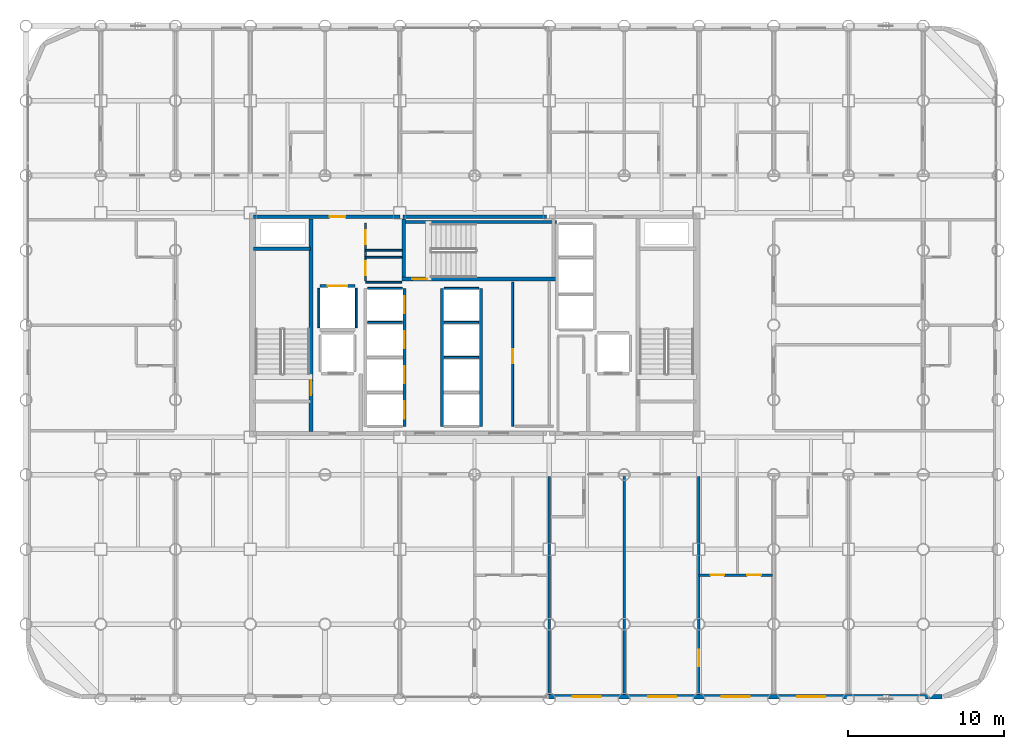
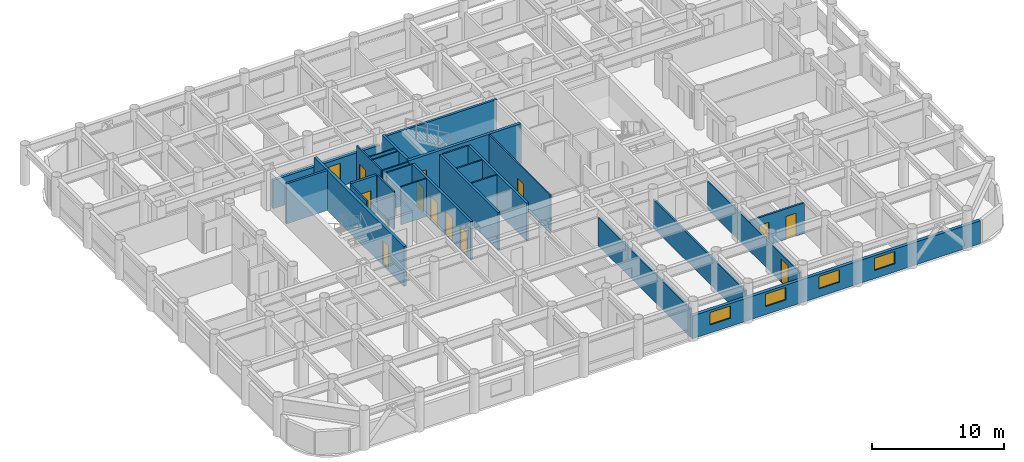
# One storey, part 16 of 20: 28 walls, 14 doors, 4 windows, 18 openings.
"""IFC4 building model written with IfcOpenShell, lengths in metres."""

from ifc_helpers import new_model, si_unit, direction, frame, frame_2d, origin, place, context, subcontext, project, spatial, rectangle, extrude, material, layer, layer_set, type_object, element, fill, save


model = new_model("IFC4")

# Units and contexts
model_context = context("Model", 3, precision=1e-05, world=origin(), true_north=direction((0.0, 1.0)))
body_context = subcontext(model_context, "Body", "Model", "MODEL_VIEW")
ifc_project = project(units=[si_unit("LENGTHUNIT", "METRE"), si_unit("AREAUNIT", "SQUARE_METRE"), si_unit("VOLUMEUNIT", "CUBIC_METRE"), si_unit("PLANEANGLEUNIT", "RADIAN"), si_unit("MASSUNIT", "GRAM", prefix="KILO")], contexts=[model_context])

# Site, building, storey
site_placement = place(None, origin())
site = spatial("IfcSite", under=ifc_project, at=site_placement, CompositionType="ELEMENT")
building_placement = place(site_placement, origin())
building = spatial("IfcBuilding", under=site, at=building_placement, Name="Kallvorn Hotel Tower", CompositionType="ELEMENT")
storey_placement = place(building_placement, frame((0.0, 0.0, 74.39990234375)))
storey = spatial("IfcBuildingStorey", under=building, at=storey_placement, Name="L17", CompositionType="ELEMENT", Elevation=74.39990234375)

# Wall, openings, doors
ifc_material_1 = material(Name="Fire-rated double-layer acoustic gypsum drywall EI 60")
ifc_layer_1 = layer(ifc_material_1, 0.159912109375)
ifc_layer_set_1 = layer_set([ifc_layer_1], Name="WL_DEMISE_160")
wall_type_1 = type_object("IfcWallType", Name="WL_DEMISE_160", PredefinedType="PARTITIONING", material=ifc_layer_set_1)
wall_1_placement = place(storey_placement, frame((14.39990234375, -16.050048828125, 0.0), z_axis=(0.0, 0.0, 1.0), x_axis=(1.0, 0.0, 0.0)))
wall_1 = element("IfcWall", 1, at=wall_1_placement, inside=storey, type_object=wall_type_1, Name="L17 Suite 1707 Executive Bedroom Partition", PredefinedType="PARTITIONING", context=body_context, shape_type="SweptSolid", body=[
    extrude(rectangle(XDim=4.72021484375, YDim=0.159912109375, at=frame_2d((2.360107421875, 0.0))), origin(), (0.0, 0.0, 1.0), 2.820068359375),
])
opening_1_placement = place(wall_1_placement, frame((0.75, 0.0, 0.0)))
opening_1 = element("IfcOpeningElement", 2, at=opening_1_placement, cuts=wall_1, Name="Opening BD-I", PredefinedType="OPENING", context=body_context, shape_type="SweptSolid", body=[
    extrude(rectangle(XDim=0.860107421875, YDim=2.10009765625, at=frame_2d((0.43017578125, 1.050048828125))), frame((0.0, 0.094970703125, 0.0), z_axis=(0.0, -1.0, 0.0), x_axis=(1.0, 0.0, 0.0)), (0.0, 0.0, 1.0), 0.18994140625),
])
opening_2_placement = place(wall_1_placement, frame((3.090087890625, 0.0, 0.0)))
opening_2 = element("IfcOpeningElement", 3, at=opening_2_placement, cuts=wall_1, Name="Opening SVD1", PredefinedType="OPENING", context=body_context, shape_type="SweptSolid", body=[
    extrude(rectangle(XDim=0.89990234375, YDim=2.10009765625, at=frame_2d((0.449951171875, 1.050048828125))), frame((0.0, 0.094970703125, 0.0), z_axis=(0.0, -1.0, 0.0), x_axis=(1.0, 0.0, 0.0)), (0.0, 0.0, 1.0), 0.18994140625),
])
ifc_material_2 = material(Name="Solid-core walnut veneer fire-rated timber door leaf", Category="wood")
door_type_1 = type_object("IfcDoorType", Name="DR_BATH_860x2100", OperationType="NOTDEFINED", PredefinedType="DOOR", material=ifc_material_2)
door_1_placement = place(opening_1_placement, origin())
door_1 = element("IfcDoor", 4, at=door_1_placement, inside=storey, type_object=door_type_1, Name="L17 Suite 1707 En-Suite Bathroom Door", OperationType="SINGLE_SWING_LEFT", OverallHeight=2.10009765625, OverallWidth=0.860107421875, PredefinedType="DOOR", context=body_context, shape_type="SweptSolid", body=[
    extrude(rectangle(XDim=0.860107421875, YDim=2.10009765625, at=frame_2d((0.43017578125, 1.050048828125))), frame((0.0, 0.02490234375, 0.0), z_axis=(0.0, -1.0, 0.0), x_axis=(1.0, 0.0, 0.0)), (0.0, 0.0, 1.0), 0.050048828125),
])
fill(opening_1, door_1)
ifc_material_3 = material(Name="Galvanised painted steel fire-rated door assembly", Category="steel")
door_type_2 = type_object("IfcDoorType", Name="DR_SERV_900x2100", OperationType="NOTDEFINED", PredefinedType="DOOR", material=ifc_material_3)
door_2_placement = place(opening_2_placement, origin())
door_2 = element("IfcDoor", 5, at=door_2_placement, inside=storey, type_object=door_type_2, Name="L17 Suite 1707 Walk-In Dressing Closet Door", OperationType="SINGLE_SWING_RIGHT", OverallHeight=2.10009765625, OverallWidth=0.89990234375, PredefinedType="DOOR", context=body_context, shape_type="SweptSolid", body=[
    extrude(rectangle(XDim=0.89990234375, YDim=2.10009765625, at=frame_2d((0.449951171875, 1.050048828125))), frame((0.0, 0.02490234375, 0.0), z_axis=(0.0, -1.0, 0.0), x_axis=(1.0, 0.0, 0.0)), (0.0, 0.0, 1.0), 0.050048828125),
])
fill(opening_2, door_2)

# Walls
for number, where, z_axis, x_axis, name in (
    (6, (4.800048828125, -23.7099609375, 0.0), (0.0, 0.0, 1.0), (0.0, 1.0, 0.0), "L17 Suite 1705 Executive Bedroom Partition"),
    (7, (9.60009765625, -23.7099609375, 0.0), (0.0, 0.0, 1.0), (0.0, 1.0, 0.0), "L17 Suite 1706 Deluxe King Room Partition"),
):
    element("IfcWall", number, at=place(storey_placement, frame(where, z_axis=z_axis, x_axis=x_axis)), inside=storey, type_object=wall_type_1, Name=name, PredefinedType="PARTITIONING", context=body_context, shape_type="SweptSolid", body=[
        extrude(rectangle(XDim=13.989990234375, YDim=0.159912109375, at=frame_2d((6.9951171875, 0.0))), origin(), (0.0, 0.0, 1.0), 2.6201171875),
    ])

# Wall, opening, door
wall_2_placement = place(storey_placement, frame((14.39990234375, -23.7099609375, 0.0), z_axis=(0.0, 0.0, 1.0), x_axis=(0.0, 1.0, 0.0)))
wall_2 = element("IfcWall", 8, at=wall_2_placement, inside=storey, type_object=wall_type_1, Name="L17 Suite 1707 Executive Bedroom Partition", PredefinedType="PARTITIONING", context=body_context, shape_type="SweptSolid", body=[
    extrude(rectangle(XDim=13.989990234375, YDim=0.159912109375, at=frame_2d((6.9951171875, 0.0))), origin(), (0.0, 0.0, 1.0), 2.6201171875),
])
opening_3_placement = place(wall_2_placement, frame((1.802978515625, 0.0, 0.0)))
opening_3 = element("IfcOpeningElement", 9, at=opening_3_placement, cuts=wall_2, Name="Opening GD2", PredefinedType="OPENING", context=body_context, shape_type="SweptSolid", body=[
    extrude(rectangle(XDim=1.050048828125, YDim=2.199951171875, at=frame_2d((0.52490234375, 1.10009765625))), frame((0.0, 0.094970703125, 0.0), z_axis=(0.0, -1.0, 0.0), x_axis=(1.0, 0.0, 0.0)), (0.0, 0.0, 1.0), 0.18994140625),
])
ifc_material_4 = material(Name="Solid-core walnut veneer fire-rated timber door leaf", Category="wood")
door_type_3 = type_object("IfcDoorType", Name="DR_SUITE_1050x2200", OperationType="NOTDEFINED", PredefinedType="DOOR", material=ifc_material_4)
door_3_placement = place(opening_3_placement, origin())
door_3 = element("IfcDoor", 10, at=door_3_placement, inside=storey, type_object=door_type_3, Name="L17 Suite 1707 Executive Bedroom Door", OperationType="SINGLE_SWING_RIGHT", OverallHeight=2.199951171875, OverallWidth=1.050048828125, PredefinedType="DOOR", context=body_context, shape_type="SweptSolid", body=[
    extrude(rectangle(XDim=1.050048828125, YDim=2.199951171875, at=frame_2d((0.52490234375, 1.10009765625))), frame((0.0, 0.02490234375, 0.0), z_axis=(0.0, -1.0, 0.0), x_axis=(1.0, 0.0, 0.0)), (0.0, 0.0, 1.0), 0.050048828125),
])
fill(opening_3, door_3)

# Wall, openings, windows
ifc_material_5 = material(Name="Precast basalt-clad insulated concrete wall C40/50", Category="masonry")
ifc_layer_2 = layer(ifc_material_5, 0.280029296875)
ifc_layer_set_2 = layer_set([ifc_layer_2], Name="WL_EXT_LOGGIA_280")
wall_type_2 = type_object("IfcWallType", Name="WL_EXT_LOGGIA_280", PredefinedType="SOLIDWALL", material=ifc_layer_set_2)
wall_3_placement = place(storey_placement, frame((4.75, -23.860107421875, 0.0), z_axis=(0.0, 0.0, 1.0), x_axis=(1.0, 0.0, 0.0)))
wall_3 = element("IfcWall", 11, at=wall_3_placement, inside=storey, type_object=wall_type_2, Name="L17 Exterior Envelope Wall EW-L17-SE", PredefinedType="SOLIDWALL", context=body_context, shape_type="SweptSolid", body=[
    extrude(rectangle(XDim=25.25, YDim=0.280029296875, at=frame_2d((12.625, 0.0))), origin(), (0.0, 0.0, 1.0), 2.1201171875),
])
opening_4_placement = place(wall_3_placement, frame((1.550048828125, 0.0, 0.75)))
opening_4 = element("IfcOpeningElement", 12, at=opening_4_placement, cuts=wall_3, Name="Opening W04A", PredefinedType="OPENING", context=body_context, shape_type="SweptSolid", body=[
    extrude(rectangle(XDim=1.800048828125, YDim=1.14990234375, at=frame_2d((0.89990234375, 0.574951171875))), frame((0.0, 0.155029296875, 0.0), z_axis=(0.0, -1.0, 0.0), x_axis=(1.0, 0.0, 0.0)), (0.0, 0.0, 1.0), 0.31005859375),
])
opening_5_placement = place(wall_3_placement, frame((6.389892578125, 0.0, 0.75)))
opening_5 = element("IfcOpeningElement", 13, at=opening_5_placement, cuts=wall_3, Name="Opening W04A", PredefinedType="OPENING", context=body_context, shape_type="SweptSolid", body=[
    extrude(rectangle(XDim=1.800048828125, YDim=1.14990234375, at=frame_2d((0.89990234375, 0.574951171875))), frame((0.0, 0.155029296875, 0.0), z_axis=(0.0, -1.0, 0.0), x_axis=(1.0, 0.0, 0.0)), (0.0, 0.0, 1.0), 0.31005859375),
])
opening_6_placement = place(wall_3_placement, frame((11.110107421875, 0.0, 0.75)))
opening_6 = element("IfcOpeningElement", 14, at=opening_6_placement, cuts=wall_3, Name="Opening W04A", PredefinedType="OPENING", context=body_context, shape_type="SweptSolid", body=[
    extrude(rectangle(XDim=1.800048828125, YDim=1.14990234375, at=frame_2d((0.89990234375, 0.574951171875))), frame((0.0, 0.155029296875, 0.0), z_axis=(0.0, -1.0, 0.0), x_axis=(1.0, 0.0, 0.0)), (0.0, 0.0, 1.0), 0.31005859375),
])
opening_7_placement = place(wall_3_placement, frame((15.949951171875, 0.0, 0.75)))
opening_7 = element("IfcOpeningElement", 15, at=opening_7_placement, cuts=wall_3, Name="Opening W04A", PredefinedType="OPENING", context=body_context, shape_type="SweptSolid", body=[
    extrude(rectangle(XDim=1.800048828125, YDim=1.14990234375, at=frame_2d((0.89990234375, 0.574951171875))), frame((0.0, 0.155029296875, 0.0), z_axis=(0.0, -1.0, 0.0), x_axis=(1.0, 0.0, 0.0)), (0.0, 0.0, 1.0), 0.31005859375),
])
ifc_material_6 = material(Name="Double-glazed low-e solar-control dark glass", Category="glass")
window_type = type_object("IfcWindowType", Name="WN_HTL_1800x1150", PartitioningType="SINGLE_PANEL", PredefinedType="WINDOW", material=ifc_material_6)
window_1_placement = place(opening_4_placement, origin())
window_1 = element("IfcWindow", 16, at=window_1_placement, inside=storey, type_object=window_type, Name="L17 Guestroom Exterior Window 04", OverallHeight=1.14990234375, OverallWidth=1.800048828125, PartitioningType="SINGLE_PANEL", PredefinedType="WINDOW", context=body_context, shape_type="SweptSolid", body=[
    extrude(rectangle(XDim=1.800048828125, YDim=1.14990234375, at=frame_2d((0.89990234375, 0.574951171875))), frame((0.0, 0.030029296875, 0.0), z_axis=(0.0, -1.0, 0.0), x_axis=(1.0, 0.0, 0.0)), (0.0, 0.0, 1.0), 0.06005859375),
])
fill(opening_4, window_1)
window_2_placement = place(opening_5_placement, origin())
window_2 = element("IfcWindow", 17, at=window_2_placement, inside=storey, type_object=window_type, Name="L17 Guestroom Exterior Window 05", OverallHeight=1.14990234375, OverallWidth=1.800048828125, PartitioningType="SINGLE_PANEL", PredefinedType="WINDOW", context=body_context, shape_type="SweptSolid", body=[
    extrude(rectangle(XDim=1.800048828125, YDim=1.14990234375, at=frame_2d((0.89990234375, 0.574951171875))), frame((0.0, 0.030029296875, 0.0), z_axis=(0.0, -1.0, 0.0), x_axis=(1.0, 0.0, 0.0)), (0.0, 0.0, 1.0), 0.06005859375),
])
fill(opening_5, window_2)
window_3_placement = place(opening_6_placement, origin())
window_3 = element("IfcWindow", 18, at=window_3_placement, inside=storey, type_object=window_type, Name="L17 Guestroom Exterior Window 06", OverallHeight=1.14990234375, OverallWidth=1.800048828125, PartitioningType="SINGLE_PANEL", PredefinedType="WINDOW", context=body_context, shape_type="SweptSolid", body=[
    extrude(rectangle(XDim=1.800048828125, YDim=1.14990234375, at=frame_2d((0.89990234375, 0.574951171875))), frame((0.0, 0.030029296875, 0.0), z_axis=(0.0, -1.0, 0.0), x_axis=(1.0, 0.0, 0.0)), (0.0, 0.0, 1.0), 0.06005859375),
])
fill(opening_6, window_3)
window_4_placement = place(opening_7_placement, origin())
window_4 = element("IfcWindow", 19, at=window_4_placement, inside=storey, type_object=window_type, Name="L17 Guestroom Exterior Window 07", OverallHeight=1.14990234375, OverallWidth=1.800048828125, PartitioningType="SINGLE_PANEL", PredefinedType="WINDOW", context=body_context, shape_type="SweptSolid", body=[
    extrude(rectangle(XDim=1.800048828125, YDim=1.14990234375, at=frame_2d((0.89990234375, 0.574951171875))), frame((0.0, 0.030029296875, 0.0), z_axis=(0.0, -1.0, 0.0), x_axis=(1.0, 0.0, 0.0)), (0.0, 0.0, 1.0), 0.06005859375),
])
fill(opening_7, window_4)

# Walls
ifc_material_7 = material(Name="Concrete C40/50", Category="concrete")
ifc_layer_3 = layer(ifc_material_7, 0.199951171875)
ifc_layer_set_3 = layer_set([ifc_layer_3], Name="WL_HOIST_200")
wall_type_3 = type_object("IfcWallType", Name="WL_HOIST_200", PredefinedType="SOLIDWALL", material=ifc_layer_set_3)
wall_4_placement = place(storey_placement, frame((-14.199951171875, 4.89990234375, -0.179931640625), z_axis=(0.0, 0.0, 1.0), x_axis=(1.0, 0.0, 0.0)))
element("IfcWall", 20, at=wall_4_placement, inside=storey, type_object=wall_type_3, Name="L17 Stair ST1 North Wall", PredefinedType="SOLIDWALL", context=body_context, shape_type="SweptSolid", body=[
    extrude(rectangle(XDim=3.64990234375, YDim=0.199951171875, at=frame_2d((1.824951171875, 0.0))), origin(), (0.0, 0.0, 1.0), 3.699951171875),
])
wall_5_placement = place(storey_placement, frame((-4.64990234375, 6.610107421875, -0.179931640625), z_axis=(0.0, 0.0, 1.0), x_axis=(1.0, 0.0, 0.0)))
element("IfcWall", 21, at=wall_5_placement, inside=storey, type_object=wall_type_3, Name="L17 Stair ST3 Shaft North Wall", PredefinedType="SOLIDWALL", context=body_context, shape_type="SweptSolid", body=[
    extrude(rectangle(XDim=9.89990234375, YDim=0.199951171875, at=frame_2d((4.949951171875, 0.0))), origin(), (0.0, 0.0, 1.0), 3.699951171875),
])
wall_6_placement = place(storey_placement, frame((-4.550048828125, 3.080078125, -0.179931640625), z_axis=(0.0, 0.0, 1.0), x_axis=(0.0, 1.0, 0.0)))
element("IfcWall", 22, at=wall_6_placement, inside=storey, type_object=wall_type_3, Name="L17 Stair ST3 West Wall", PredefinedType="SOLIDWALL", context=body_context, shape_type="SweptSolid", body=[
    extrude(rectangle(XDim=3.739990234375, YDim=0.199951171875, at=frame_2d((1.8701171875, 0.0))), origin(), (0.0, 0.0, 1.0), 3.699951171875),
])

# Wall, openings, doors
wall_7_placement = place(storey_placement, frame((-4.5, -6.5, 0.0), z_axis=(0.0, 0.0, 1.0), x_axis=(0.0, 1.0, 0.0)))
wall_7 = element("IfcWall", 23, at=wall_7_placement, inside=storey, type_object=wall_type_3, Name="L17 Lift Bank B1 Landing Wall", PredefinedType="SOLIDWALL", context=body_context, shape_type="SweptSolid", body=[
    extrude(rectangle(XDim=8.85009765625, YDim=0.199951171875, at=frame_2d((4.425048828125, 0.0))), origin(), (0.0, 0.0, 1.0), 3.52001953125),
])
opening_8_placement = place(wall_7_placement, frame((0.5, 0.0, 0.0)))
opening_8 = element("IfcOpeningElement", 24, at=opening_8_placement, cuts=wall_7, Name="Opening LD-PL-01", PredefinedType="OPENING", context=body_context, shape_type="SweptSolid", body=[
    extrude(rectangle(XDim=1.10009765625, YDim=2.199951171875, at=frame_2d((0.550048828125, 1.10009765625))), frame((0.0, 0.114990234375, 0.0), z_axis=(0.0, -1.0, 0.0), x_axis=(1.0, 0.0, 0.0)), (0.0, 0.0, 1.0), 0.22998046875),
])
opening_9_placement = place(wall_7_placement, frame((2.75, 0.0, 0.0)))
opening_9 = element("IfcOpeningElement", 25, at=opening_9_placement, cuts=wall_7, Name="Opening LD-PL-02", PredefinedType="OPENING", context=body_context, shape_type="SweptSolid", body=[
    extrude(rectangle(XDim=1.10009765625, YDim=2.199951171875, at=frame_2d((0.550048828125, 1.10009765625))), frame((0.0, 0.114990234375, 0.0), z_axis=(0.0, -1.0, 0.0), x_axis=(1.0, 0.0, 0.0)), (0.0, 0.0, 1.0), 0.22998046875),
])
opening_10_placement = place(wall_7_placement, frame((5.0, 0.0, 0.0)))
opening_10 = element("IfcOpeningElement", 26, at=opening_10_placement, cuts=wall_7, Name="Opening LD-PL-03", PredefinedType="OPENING", context=body_context, shape_type="SweptSolid", body=[
    extrude(rectangle(XDim=1.10009765625, YDim=2.199951171875, at=frame_2d((0.550048828125, 1.10009765625))), frame((0.0, 0.114990234375, 0.0), z_axis=(0.0, -1.0, 0.0), x_axis=(1.0, 0.0, 0.0)), (0.0, 0.0, 1.0), 0.22998046875),
])
opening_11_placement = place(wall_7_placement, frame((7.25, 0.0, 0.0)))
opening_11 = element("IfcOpeningElement", 27, at=opening_11_placement, cuts=wall_7, Name="Opening LD-PL-04", PredefinedType="OPENING", context=body_context, shape_type="SweptSolid", body=[
    extrude(rectangle(XDim=1.10009765625, YDim=2.199951171875, at=frame_2d((0.550048828125, 1.10009765625))), frame((0.0, 0.114990234375, 0.0), z_axis=(0.0, -1.0, 0.0), x_axis=(1.0, 0.0, 0.0)), (0.0, 0.0, 1.0), 0.22998046875),
])
ifc_material_8 = material(Name="Brushed stainless-steel automatic sliding lift landing door", Category="steel")
door_type_4 = type_object("IfcDoorType", Name="LD_PASS_1100x2200", OperationType="SLIDING_TO_LEFT", PredefinedType="DOOR", material=ifc_material_8)
door_4_placement = place(opening_8_placement, origin())
door_4 = element("IfcDoor", 28, at=door_4_placement, inside=storey, type_object=door_type_4, Name="L17 Lift Landing Sliding Door LD-PL-01", OperationType="SLIDING_TO_LEFT", OverallHeight=2.199951171875, OverallWidth=1.10009765625, PredefinedType="DOOR", context=body_context, shape_type="SweptSolid", body=[
    extrude(rectangle(XDim=1.10009765625, YDim=2.199951171875, at=frame_2d((0.550048828125, 1.10009765625))), frame((0.0, 0.02490234375, 0.0), z_axis=(0.0, -1.0, 0.0), x_axis=(1.0, 0.0, 0.0)), (0.0, 0.0, 1.0), 0.050048828125),
])
fill(opening_8, door_4)
door_5_placement = place(opening_9_placement, origin())
door_5 = element("IfcDoor", 29, at=door_5_placement, inside=storey, type_object=door_type_4, Name="L17 Lift Landing Sliding Door LD-PL-02", OperationType="SLIDING_TO_LEFT", OverallHeight=2.199951171875, OverallWidth=1.10009765625, PredefinedType="DOOR", context=body_context, shape_type="SweptSolid", body=[
    extrude(rectangle(XDim=1.10009765625, YDim=2.199951171875, at=frame_2d((0.550048828125, 1.10009765625))), frame((0.0, 0.02490234375, 0.0), z_axis=(0.0, -1.0, 0.0), x_axis=(1.0, 0.0, 0.0)), (0.0, 0.0, 1.0), 0.050048828125),
])
fill(opening_9, door_5)
door_6_placement = place(opening_10_placement, origin())
door_6 = element("IfcDoor", 30, at=door_6_placement, inside=storey, type_object=door_type_4, Name="L17 Lift Landing Sliding Door LD-PL-03", OperationType="SLIDING_TO_LEFT", OverallHeight=2.199951171875, OverallWidth=1.10009765625, PredefinedType="DOOR", context=body_context, shape_type="SweptSolid", body=[
    extrude(rectangle(XDim=1.10009765625, YDim=2.199951171875, at=frame_2d((0.550048828125, 1.10009765625))), frame((0.0, 0.02490234375, 0.0), z_axis=(0.0, -1.0, 0.0), x_axis=(1.0, 0.0, 0.0)), (0.0, 0.0, 1.0), 0.050048828125),
])
fill(opening_10, door_6)
door_7_placement = place(opening_11_placement, origin())
door_7 = element("IfcDoor", 31, at=door_7_placement, inside=storey, type_object=door_type_4, Name="L17 Lift Landing Sliding Door LD-PL-04", OperationType="SLIDING_TO_LEFT", OverallHeight=2.199951171875, OverallWidth=1.10009765625, PredefinedType="DOOR", context=body_context, shape_type="SweptSolid", body=[
    extrude(rectangle(XDim=1.10009765625, YDim=2.199951171875, at=frame_2d((0.550048828125, 1.10009765625))), frame((0.0, 0.02490234375, 0.0), z_axis=(0.0, -1.0, 0.0), x_axis=(1.0, 0.0, 0.0)), (0.0, 0.0, 1.0), 0.050048828125),
])
fill(opening_11, door_7)

# Walls
for number, where, z_axis, x_axis, name in (
    (32, (-2.10009765625, -6.5, 0.0), (0.0, 0.0, 1.0), (0.0, 1.0, 0.0), "L17 Lift Bank B2 Landing Wall"),
    (33, (0.39990234375, -6.5, 0.0), (0.0, 0.0, 1.0), (0.0, 1.0, 0.0), "L17 Lift Bank B2 Rear Shaft Wall"),
):
    element("IfcWall", number, at=place(storey_placement, frame(where, z_axis=z_axis, x_axis=x_axis)), inside=storey, type_object=wall_type_3, Name=name, PredefinedType="SOLIDWALL", context=body_context, shape_type="SweptSolid", body=[
        extrude(rectangle(XDim=8.85009765625, YDim=0.199951171875, at=frame_2d((4.425048828125, 0.0))), origin(), (0.0, 0.0, 1.0), 3.52001953125),
    ])

# Wall, opening, door
wall_8_placement = place(storey_placement, frame((-9.919921875, 2.5, 0.0), z_axis=(0.0, 0.0, 1.0), x_axis=(1.0, 0.0, 0.0)))
wall_8 = element("IfcWall", 34, at=wall_8_placement, inside=storey, type_object=wall_type_3, Name="L17 SV-01 Landing Wall", PredefinedType="SOLIDWALL", context=body_context, shape_type="SweptSolid", body=[
    extrude(rectangle(XDim=2.239990234375, YDim=0.199951171875, at=frame_2d((1.1201171875, 0.0))), origin(), (0.0, 0.0, 1.0), 3.52001953125),
])
opening_12_placement = place(wall_8_placement, frame((0.4951171875, 0.0, 0.0)))
opening_12 = element("IfcOpeningElement", 35, at=opening_12_placement, cuts=wall_8, Name="Opening LD-SV-01", PredefinedType="OPENING", context=body_context, shape_type="SweptSolid", body=[
    extrude(rectangle(XDim=1.25, YDim=2.25, at=frame_2d((0.625, 1.125))), frame((0.0, 0.114990234375, 0.0), z_axis=(0.0, -1.0, 0.0), x_axis=(1.0, 0.0, 0.0)), (0.0, 0.0, 1.0), 0.22998046875),
])
ifc_material_9 = material(Name="Brushed stainless-steel automatic sliding lift landing door", Category="steel")
door_type_5 = type_object("IfcDoorType", Name="LD_SERV_1250x2250", OperationType="SLIDING_TO_LEFT", PredefinedType="DOOR", material=ifc_material_9)
door_8_placement = place(opening_12_placement, origin())
door_8 = element("IfcDoor", 36, at=door_8_placement, inside=storey, type_object=door_type_5, Name="L17 Lift Landing Sliding Door LD-SV-01", OperationType="SLIDING_TO_LEFT", OverallHeight=2.25, OverallWidth=1.25, PredefinedType="DOOR", context=body_context, shape_type="SweptSolid", body=[
    extrude(rectangle(XDim=1.25, YDim=2.25, at=frame_2d((0.625, 1.125))), frame((0.0, 0.02490234375, 0.0), z_axis=(0.0, -1.0, 0.0), x_axis=(1.0, 0.0, 0.0)), (0.0, 0.0, 1.0), 0.050048828125),
])
fill(opening_12, door_8)

# Walls
ifc_material_10 = material(Name="Fire-rated double-layer acoustic gypsum drywall EI 60")
ifc_layer_4 = layer(ifc_material_10, 0.1201171875)
ifc_layer_set_4 = layer_set([ifc_layer_4], Name="WL_INT_120")
wall_type_4 = type_object("IfcWallType", Name="WL_INT_120", PredefinedType="PARTITIONING", material=ifc_layer_set_4)
for number, where, z_axis, x_axis, name in (
    (37, (-6.860107421875, 0.175048828125, 0.0), (0.0, 0.0, 1.0), (1.0, 0.0, 0.0), "L17 PL-03 Hoistway Divider"),
    (38, (-6.860107421875, 2.35009765625, 0.0), (0.0, 0.0, 1.0), (1.0, 0.0, 0.0), "L17 PL-04 Hoistway Divider"),
):
    element("IfcWall", number, at=place(storey_placement, frame(where, z_axis=z_axis, x_axis=x_axis)), inside=storey, type_object=wall_type_4, Name=name, PredefinedType="PARTITIONING", context=body_context, shape_type="SweptSolid", body=[
        extrude(rectangle(XDim=2.22021484375, YDim=0.1201171875, at=frame_2d((1.110107421875, 0.0))), origin(), (0.0, 0.0, 1.0), 3.52001953125),
    ])
for number, where, z_axis, x_axis, name in (
    (39, (-1.9599609375, -2.074951171875, 0.0), (0.0, 0.0, 1.0), (1.0, 0.0, 0.0), "L17 PL-06 Hoistway Divider"),
    (40, (-1.9599609375, 0.175048828125, 0.0), (0.0, 0.0, 1.0), (1.0, 0.0, 0.0), "L17 PL-07 Hoistway Divider"),
    (41, (-1.9599609375, 2.35009765625, 0.0), (0.0, 0.0, 1.0), (1.0, 0.0, 0.0), "L17 PL-08 Hoistway Divider"),
):
    element("IfcWall", number, at=place(storey_placement, frame(where, z_axis=z_axis, x_axis=x_axis)), inside=storey, type_object=wall_type_4, Name=name, PredefinedType="PARTITIONING", context=body_context, shape_type="SweptSolid", body=[
        extrude(rectangle(XDim=2.219970703125, YDim=0.1201171875, at=frame_2d((1.10986328125, 0.0))), origin(), (0.0, 0.0, 1.0), 3.52001953125),
    ])
for number, where, z_axis, x_axis, name in (
    (42, (-10.0, -0.159912109375, 0.0), (0.0, 0.0, 1.0), (0.0, 1.0, 0.0), "L17 SV-01 West Shaft Wall"),
    (43, (-7.60009765625, -0.159912109375, 0.0), (0.0, 0.0, 1.0), (0.0, 1.0, 0.0), "L17 SV-01 East Shaft Wall"),
):
    element("IfcWall", number, at=place(storey_placement, frame(where, z_axis=z_axis, x_axis=x_axis)), inside=storey, type_object=wall_type_4, Name=name, PredefinedType="PARTITIONING", context=body_context, shape_type="SweptSolid", body=[
        extrude(rectangle(XDim=2.52001953125, YDim=0.1201171875, at=frame_2d((1.260009765625, 0.0))), origin(), (0.0, 0.0, 1.0), 3.52001953125),
    ])
wall_9_placement = place(storey_placement, frame((-7.0, 2.75, 0.0), z_axis=(0.0, 0.0, 1.0), x_axis=(1.0, 0.0, 0.0)))
element("IfcWall", 44, at=wall_9_placement, inside=storey, type_object=wall_type_4, Name="L17 Core Ice and Vending Pantry Partition", PredefinedType="PARTITIONING", context=body_context, shape_type="SweptSolid", body=[
    extrude(rectangle(XDim=2.31005859375, YDim=0.1201171875, at=frame_2d((1.155029296875, 0.0))), origin(), (0.0, 0.0, 1.0), 3.52001953125),
])
for number, where, z_axis, x_axis, name in (
    (45, (-7.0, 4.35009765625, 0.0), (0.0, 0.0, 1.0), (1.0, 0.0, 0.0), "L17 Core Ice and Vending Pantry Partition"),
    (46, (-7.0, 4.800048828125, 0.0), (0.0, 0.0, 1.0), (1.0, 0.0, 0.0), "L17 Core Linen Supply Closet Partition"),
):
    element("IfcWall", number, at=place(storey_placement, frame(where, z_axis=z_axis, x_axis=x_axis)), inside=storey, type_object=wall_type_4, Name=name, PredefinedType="PARTITIONING", context=body_context, shape_type="SweptSolid", body=[
        extrude(rectangle(XDim=2.35009765625, YDim=0.1201171875, at=frame_2d((1.175048828125, 0.0))), origin(), (0.0, 0.0, 1.0), 3.52001953125),
    ])

# Wall, openings, doors
wall_10_placement = place(storey_placement, frame((-7.0, 2.8349609375, 0.0), z_axis=(0.0, 0.0, 1.0), x_axis=(0.0, 1.0, 0.0)))
wall_10 = element("IfcWall", 47, at=wall_10_placement, inside=storey, type_object=wall_type_4, Name="L17 Core Ice and Vending Pantry Partition", PredefinedType="PARTITIONING", context=body_context, shape_type="SweptSolid", body=[
    extrude(rectangle(XDim=3.715087890625, YDim=0.1201171875, at=frame_2d((1.857421875, 0.0))), origin(), (0.0, 0.0, 1.0), 3.52001953125),
])
opening_13_placement = place(wall_10_placement, frame((0.364990234375, 0.0, 0.0)))
opening_13 = element("IfcOpeningElement", 48, at=opening_13_placement, cuts=wall_10, Name="Opening SVD1", PredefinedType="OPENING", context=body_context, shape_type="SweptSolid", body=[
    extrude(rectangle(XDim=0.89990234375, YDim=2.10009765625, at=frame_2d((0.449951171875, 1.050048828125))), frame((0.0, 0.074951171875, 0.0), z_axis=(0.0, -1.0, 0.0), x_axis=(1.0, 0.0, 0.0)), (0.0, 0.0, 1.0), 0.150146484375),
])
opening_14_placement = place(wall_10_placement, frame((2.364990234375, 0.0, 0.0)))
opening_14 = element("IfcOpeningElement", 49, at=opening_14_placement, cuts=wall_10, Name="Opening SVD1", PredefinedType="OPENING", context=body_context, shape_type="SweptSolid", body=[
    extrude(rectangle(XDim=0.89990234375, YDim=2.10009765625, at=frame_2d((0.449951171875, 1.050048828125))), frame((0.0, 0.074951171875, 0.0), z_axis=(0.0, -1.0, 0.0), x_axis=(1.0, 0.0, 0.0)), (0.0, 0.0, 1.0), 0.150146484375),
])
door_9_placement = place(opening_13_placement, origin())
door_9 = element("IfcDoor", 50, at=door_9_placement, inside=storey, type_object=door_type_2, Name="L17 Core Ice and Vending Pantry Door", OperationType="SINGLE_SWING_RIGHT", OverallHeight=2.10009765625, OverallWidth=0.89990234375, PredefinedType="DOOR", context=body_context, shape_type="SweptSolid", body=[
    extrude(rectangle(XDim=0.89990234375, YDim=2.10009765625, at=frame_2d((0.449951171875, 1.050048828125))), frame((0.0, 0.02490234375, 0.0), z_axis=(0.0, -1.0, 0.0), x_axis=(1.0, 0.0, 0.0)), (0.0, 0.0, 1.0), 0.050048828125),
])
fill(opening_13, door_9)
door_10_placement = place(opening_14_placement, origin())
door_10 = element("IfcDoor", 51, at=door_10_placement, inside=storey, type_object=door_type_2, Name="L17 Core Linen Supply Closet Door", OperationType="SINGLE_SWING_LEFT", OverallHeight=2.10009765625, OverallWidth=0.89990234375, PredefinedType="DOOR", context=body_context, shape_type="SweptSolid", body=[
    extrude(rectangle(XDim=0.89990234375, YDim=2.10009765625, at=frame_2d((0.449951171875, 1.050048828125))), frame((0.0, 0.02490234375, 0.0), z_axis=(0.0, -1.0, 0.0), x_axis=(1.0, 0.0, 0.0)), (0.0, 0.0, 1.0), 0.050048828125),
])
fill(opening_14, door_10)

# Wall, opening, door
wall_11_placement = place(storey_placement, frame((2.43994140625, -6.5, 0.0), z_axis=(0.0, 0.0, 1.0), x_axis=(0.0, 1.0, 0.0)))
wall_11 = element("IfcWall", 52, at=wall_11_placement, inside=storey, type_object=wall_type_4, Name="L17 East Core Consolidated Linen and Supply Store Partition", PredefinedType="PARTITIONING", context=body_context, shape_type="SweptSolid", body=[
    extrude(rectangle(XDim=9.25, YDim=0.1201171875, at=frame_2d((4.625, 0.0))), origin(), (0.0, 0.0, 1.0), 3.52001953125),
])
opening_15_placement = place(wall_11_placement, frame((4.050048828125, 0.0, 0.0)))
opening_15 = element("IfcOpeningElement", 53, at=opening_15_placement, cuts=wall_11, Name="Opening SVD1", PredefinedType="OPENING", context=body_context, shape_type="SweptSolid", body=[
    extrude(rectangle(XDim=0.89990234375, YDim=2.10009765625, at=frame_2d((0.449951171875, 1.050048828125))), frame((0.0, 0.074951171875, 0.0), z_axis=(0.0, -1.0, 0.0), x_axis=(1.0, 0.0, 0.0)), (0.0, 0.0, 1.0), 0.150146484375),
])
door_11_placement = place(opening_15_placement, origin())
door_11 = element("IfcDoor", 54, at=door_11_placement, inside=storey, type_object=door_type_2, Name="L17 East Core Consolidated Linen and Supply Store Door", OperationType="SINGLE_SWING_LEFT", OverallHeight=2.10009765625, OverallWidth=0.89990234375, PredefinedType="DOOR", context=body_context, shape_type="SweptSolid", body=[
    extrude(rectangle(XDim=0.89990234375, YDim=2.10009765625, at=frame_2d((0.449951171875, 1.050048828125))), frame((0.0, 0.02490234375, 0.0), z_axis=(0.0, -1.0, 0.0), x_axis=(1.0, 0.0, 0.0)), (0.0, 0.0, 1.0), 0.050048828125),
])
fill(opening_15, door_11)

ifc_material_11 = material(Name="Concrete C40/50", Category="concrete")
ifc_layer_5 = layer(ifc_material_11, 0.25)
ifc_layer_set_5 = layer_set([ifc_layer_5], Name="WL_SHAFT_250")
wall_type_5 = type_object("IfcWallType", Name="WL_SHAFT_250", PredefinedType="SOLIDWALL", material=ifc_layer_set_5)
wall_12_placement = place(storey_placement, frame((-14.199951171875, 6.949951171875, 0.0), z_axis=(0.0, 0.0, 1.0), x_axis=(1.0, 0.0, 0.0)))
wall_12 = element("IfcWall", 55, at=wall_12_placement, inside=storey, type_object=wall_type_5, Name="L17 Core North-West Wall", PredefinedType="SOLIDWALL", context=body_context, shape_type="SweptSolid", body=[
    extrude(rectangle(XDim=9.39990234375, YDim=0.25, at=frame_2d((4.699951171875, 0.0))), origin(), (0.0, 0.0, 1.0), 2.6201171875),
])
opening_16_placement = place(wall_12_placement, frame((4.89990234375, 0.0, 0.0)))
opening_16 = element("IfcOpeningElement", 56, at=opening_16_placement, cuts=wall_12, Name="Opening FD1", PredefinedType="OPENING", context=body_context, shape_type="SweptSolid", body=[
    extrude(rectangle(XDim=1.0, YDim=2.14990234375, at=frame_2d((0.5, 1.074951171875))), frame((0.0, 0.139892578125, 0.0), z_axis=(0.0, -1.0, 0.0), x_axis=(1.0, 0.0, 0.0)), (0.0, 0.0, 1.0), 0.280029296875),
])
ifc_material_12 = material(Name="Galvanised painted steel fire-rated door assembly", Category="steel")
door_type_6 = type_object("IfcDoorType", Name="DR_FFL_1000x2150", OperationType="NOTDEFINED", PredefinedType="DOOR", material=ifc_material_12)
door_12_placement = place(opening_16_placement, origin())
door_12 = element("IfcDoor", 57, at=door_12_placement, inside=storey, type_object=door_type_6, Name="L17 Service Lift Lobby Door", OperationType="SINGLE_SWING_RIGHT", OverallHeight=2.14990234375, OverallWidth=1.0, PredefinedType="DOOR", context=body_context, shape_type="SweptSolid", body=[
    extrude(rectangle(XDim=1.0, YDim=2.14990234375, at=frame_2d((0.5, 1.074951171875))), frame((0.0, 0.02490234375, 0.0), z_axis=(0.0, -1.0, 0.0), x_axis=(1.0, 0.0, 0.0)), (0.0, 0.0, 1.0), 0.050048828125),
])
fill(opening_16, door_12)

# Wall
wall_13_placement = place(storey_placement, frame((-4.60009765625, 6.949951171875, 0.0), z_axis=(0.0, 0.0, 1.0), x_axis=(1.0, 0.0, 0.0)))
element("IfcWall", 58, at=wall_13_placement, inside=storey, type_object=wall_type_5, Name="L17 Core North-Central Wall", PredefinedType="SOLIDWALL", context=body_context, shape_type="SweptSolid", body=[
    extrude(rectangle(XDim=9.2001953125, YDim=0.25, at=frame_2d((4.60009765625, 0.0))), origin(), (0.0, 0.0, 1.0), 2.6201171875),
])

# Wall, opening, door
wall_14_placement = place(storey_placement, frame((-10.5, -6.820068359375, -0.179931640625), z_axis=(0.0, 0.0, 1.0), x_axis=(0.0, 1.0, 0.0)))
wall_14 = element("IfcWall", 59, at=wall_14_placement, inside=storey, type_object=wall_type_5, Name="L17 Stair ST1 Shaft Wall", PredefinedType="SOLIDWALL", context=body_context, shape_type="SweptSolid", body=[
    extrude(rectangle(XDim=13.64013671875, YDim=0.25, at=frame_2d((6.820068359375, 0.0))), origin(), (0.0, 0.0, 1.0), 3.699951171875),
])
opening_17_placement = place(wall_14_placement, frame((2.320068359375, 0.0, 0.179931640625)))
opening_17 = element("IfcOpeningElement", 60, at=opening_17_placement, cuts=wall_14, Name="Opening SD1", PredefinedType="OPENING", context=body_context, shape_type="SweptSolid", body=[
    extrude(rectangle(XDim=0.949951171875, YDim=2.14990234375, at=frame_2d((0.47509765625, 1.074951171875))), frame((0.0, 0.139892578125, 0.0), z_axis=(0.0, -1.0, 0.0), x_axis=(1.0, 0.0, 0.0)), (0.0, 0.0, 1.0), 0.280029296875),
])
ifc_material_13 = material(Name="Galvanised painted steel fire-rated door assembly", Category="steel")
door_type_7 = type_object("IfcDoorType", Name="DR_STAIR_950x2150", OperationType="NOTDEFINED", PredefinedType="DOOR", material=ifc_material_13)
door_13_placement = place(opening_17_placement, origin())
door_13 = element("IfcDoor", 61, at=door_13_placement, inside=storey, type_object=door_type_7, Name="L17 Exit Stair ST1 Fire Door", OperationType="SINGLE_SWING_RIGHT", OverallHeight=2.14990234375, OverallWidth=0.949951171875, PredefinedType="DOOR", context=body_context, shape_type="SweptSolid", body=[
    extrude(rectangle(XDim=0.949951171875, YDim=2.14990234375, at=frame_2d((0.47509765625, 1.074951171875))), frame((0.0, 0.02490234375, 0.0), z_axis=(0.0, -1.0, 0.0), x_axis=(1.0, 0.0, 0.0)), (0.0, 0.0, 1.0), 0.050048828125),
])
fill(opening_17, door_13)

wall_15_placement = place(storey_placement, frame((-4.64990234375, 2.949951171875, -0.179931640625), z_axis=(0.0, 0.0, 1.0), x_axis=(1.0, 0.0, 0.0)))
wall_15 = element("IfcWall", 62, at=wall_15_placement, inside=storey, type_object=wall_type_5, Name="L17 Stair ST3 Shaft South Wall", PredefinedType="SOLIDWALL", context=body_context, shape_type="SweptSolid", body=[
    extrude(rectangle(XDim=9.89990234375, YDim=0.25, at=frame_2d((4.949951171875, 0.0))), origin(), (0.0, 0.0, 1.0), 3.699951171875),
])
opening_18_placement = place(wall_15_placement, frame((0.64990234375, 0.0, 0.179931640625)))
opening_18 = element("IfcOpeningElement", 63, at=opening_18_placement, cuts=wall_15, Name="Opening SD1", PredefinedType="OPENING", context=body_context, shape_type="SweptSolid", body=[
    extrude(rectangle(XDim=0.949951171875, YDim=2.14990234375, at=frame_2d((0.47509765625, 1.074951171875))), frame((0.0, 0.139892578125, 0.0), z_axis=(0.0, -1.0, 0.0), x_axis=(1.0, 0.0, 0.0)), (0.0, 0.0, 1.0), 0.280029296875),
])
door_14_placement = place(opening_18_placement, origin())
door_14 = element("IfcDoor", 64, at=door_14_placement, inside=storey, type_object=door_type_7, Name="L17 Exit Stair ST3 Fire Door", OperationType="SINGLE_SWING_RIGHT", OverallHeight=2.14990234375, OverallWidth=0.949951171875, PredefinedType="DOOR", context=body_context, shape_type="SweptSolid", body=[
    extrude(rectangle(XDim=0.949951171875, YDim=2.14990234375, at=frame_2d((0.47509765625, 1.074951171875))), frame((0.0, 0.02490234375, 0.0), z_axis=(0.0, -1.0, 0.0), x_axis=(1.0, 0.0, 0.0)), (0.0, 0.0, 1.0), 0.050048828125),
])
fill(opening_18, door_14)

save(model, "model.ifc")
